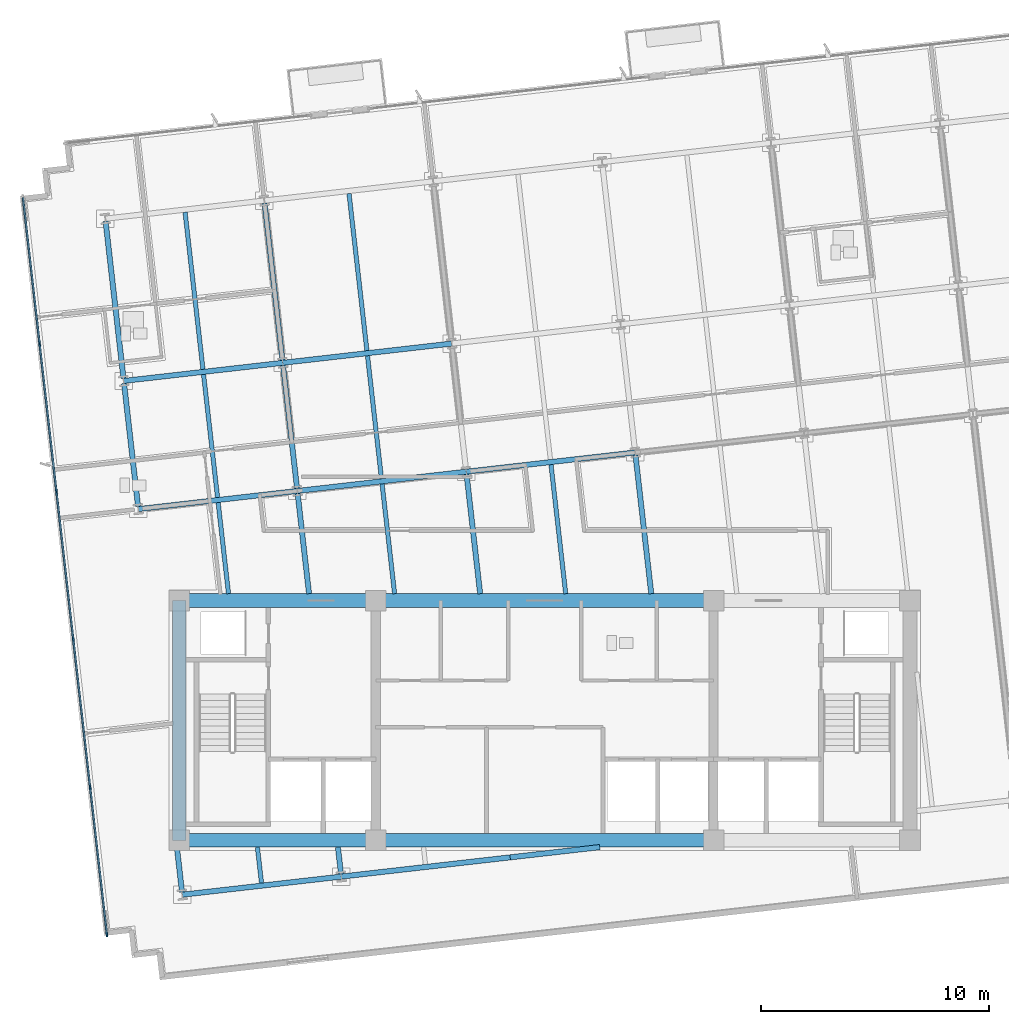
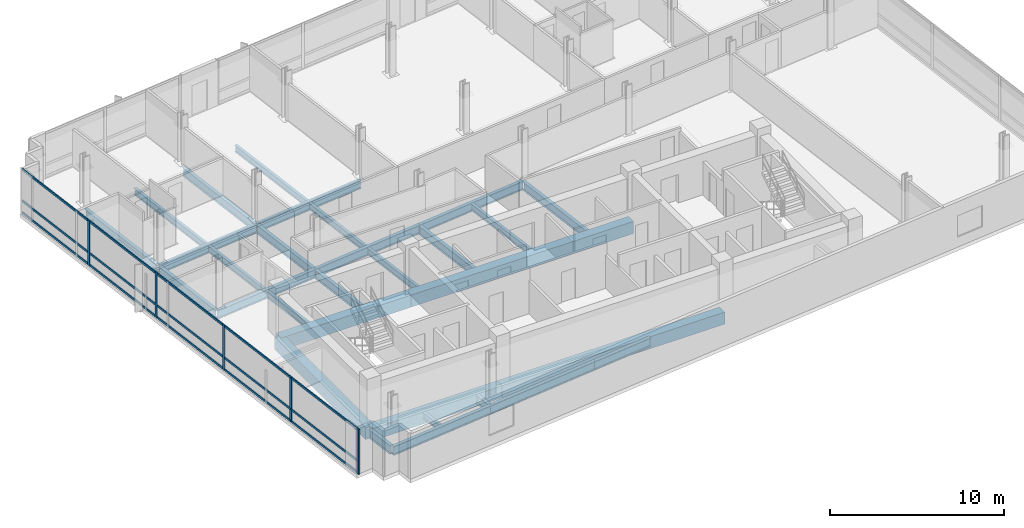
# One storey, part 2 of 15: 30 beams, 20 members, 1 element without a shape of its own.
"""IFC4 building model written with IfcOpenShell, lengths in metres."""

from ifc_helpers import new_model, si_unit, direction, frame, origin, origin_2d, place, context, subcontext, project, spatial, rectangle, i_section, extrude, material, material_profile, profile_set, type_object, element, aggregate, save


model = new_model("IFC4")

# Units and contexts
model_context = context("Model", 3, precision=1e-05, world=origin(), true_north=direction((0.0, 1.0)))
body_context = subcontext(model_context, "Body", "Model", "MODEL_VIEW")
ifc_project = project(units=[si_unit("LENGTHUNIT", "METRE"), si_unit("AREAUNIT", "SQUARE_METRE"), si_unit("VOLUMEUNIT", "CUBIC_METRE"), si_unit("PLANEANGLEUNIT", "RADIAN"), si_unit("MASSUNIT", "GRAM", prefix="KILO")], contexts=[model_context])

# Site, building, storey
site_placement = place(None, origin())
site = spatial("IfcSite", under=ifc_project, at=site_placement, CompositionType="ELEMENT")
building_placement = place(site_placement, origin())
building = spatial("IfcBuilding", under=site, at=building_placement, Name="Solmavex Isthmus Hotel", CompositionType="ELEMENT")
storey_placement = place(building_placement, frame((0.0, 0.0, 226.199951171875)))
storey = spatial("IfcBuildingStorey", under=building, at=storey_placement, Name="L61", CompositionType="ELEMENT", Elevation=226.199951171875)

# Beams
ifc_material_1 = material(Name="Steel ASTM A992 Grade 50", Category="steel")
ifc_material_profile_1 = material_profile(ifc_material_1, i_section(OverallWidth=0.1904296875, OverallDepth=0.456787109375, WebThickness=0.009033203125, FlangeThickness=0.014404296875, FilletRadius=0.0126953125, at=origin_2d()), Name="W18X50")
ifc_profile_set_1 = profile_set([ifc_material_profile_1], Name="Steel ASTM A992 Grade 50")
beam_type_1 = type_object("IfcBeamType", Name="BM-BJ-W18X50", PredefinedType="JOIST", material=ifc_profile_set_1)
beam_1_placement = place(storey_placement, frame((-12.404052734375, -14.872314453125, -0.48828125), z_axis=(-0.113242002738, 0.993567435465, 0.0), x_axis=(-0.993567435465, -0.113242002738, 0.0)))
element("IfcBeam", 1, at=beam_1_placement, inside=storey, type_object=beam_type_1, Name="Secondary Floor Joist L61-J01", PredefinedType="JOIST", context=body_context, shape_type="SweptSolid", body=[
    extrude(i_section(OverallWidth=0.1904296875, OverallDepth=0.456787109375, WebThickness=0.009033203125, FlangeThickness=0.014404296875, FilletRadius=0.0126953125, at=origin_2d()), origin(), (0.0, 0.0, 1.0), 1.58251953125),
])
beam_2_placement = place(storey_placement, frame((-13.847900390625, -2.199951171875, -0.48828125), z_axis=(-0.113179724577, 0.993574531651, 0.0), x_axis=(-0.993574531651, -0.113179724577, 0.0)))
element("IfcBeam", 2, at=beam_2_placement, inside=storey, type_object=beam_type_1, Name="Secondary Floor Joist L61-J02", PredefinedType="JOIST", context=body_context, shape_type="SweptSolid", body=[
    extrude(i_section(OverallWidth=0.1904296875, OverallDepth=0.456787109375, WebThickness=0.009033203125, FlangeThickness=0.014404296875, FilletRadius=0.0126953125, at=origin_2d()), origin(), (0.0, 0.0, 1.0), 4.0166015625),
])
beam_3_placement = place(storey_placement, frame((-14.328369140625, 2.01708984375, -0.48828125), z_axis=(-0.113189626161, 0.993573403695, 0.0), x_axis=(-0.993573403695, -0.113189626161, 0.0)))
element("IfcBeam", 3, at=beam_3_placement, inside=storey, type_object=beam_type_1, Name="Secondary Floor Joist L61-J03", PredefinedType="JOIST", context=body_context, shape_type="SweptSolid", body=[
    extrude(i_section(OverallWidth=0.1904296875, OverallDepth=0.456787109375, WebThickness=0.009033203125, FlangeThickness=0.014404296875, FilletRadius=0.0126953125, at=origin_2d()), origin(), (0.0, 0.0, 1.0), 5.42041015625),
])
beam_4_placement = place(storey_placement, frame((-14.9677734375, 7.62890625, -0.48828125), z_axis=(-0.113202453846, 0.993571942258, 0.0), x_axis=(-0.993571942258, -0.113202453846, 0.0)))
element("IfcBeam", 4, at=beam_4_placement, inside=storey, type_object=beam_type_1, Name="Secondary Floor Joist L61-J04", PredefinedType="JOIST", context=body_context, shape_type="SweptSolid", body=[
    extrude(i_section(OverallWidth=0.1904296875, OverallDepth=0.456787109375, WebThickness=0.009033203125, FlangeThickness=0.014404296875, FilletRadius=0.0126953125, at=origin_2d()), origin(), (0.0, 0.0, 1.0), 6.9228515625),
])
beam_5_placement = place(storey_placement, frame((-6.57421875, -2.199951171875, -0.48828125), z_axis=(-0.113193768539, 0.993572931779, 0.0), x_axis=(-0.993572931779, -0.113193768539, 0.0)))
element("IfcBeam", 5, at=beam_5_placement, inside=storey, type_object=beam_type_1, Name="Secondary Floor Joist L61-J06", PredefinedType="JOIST", context=body_context, shape_type="SweptSolid", body=[
    extrude(i_section(OverallWidth=0.1904296875, OverallDepth=0.456787109375, WebThickness=0.009033203125, FlangeThickness=0.014404296875, FilletRadius=0.0126953125, at=origin_2d()), origin(), (0.0, 0.0, 1.0), 4.83984375),
])
beam_6_placement = place(storey_placement, frame((-7.14794921875, 2.835205078125, -0.48828125), z_axis=(-0.113189626161, 0.993573403695, 0.0), x_axis=(-0.993573403695, -0.113189626161, 0.0)))
element("IfcBeam", 6, at=beam_6_placement, inside=storey, type_object=beam_type_1, Name="Secondary Floor Joist L61-J07", PredefinedType="JOIST", context=body_context, shape_type="SweptSolid", body=[
    extrude(i_section(OverallWidth=0.1904296875, OverallDepth=0.456787109375, WebThickness=0.009033203125, FlangeThickness=0.014404296875, FilletRadius=0.0126953125, at=origin_2d()), origin(), (0.0, 0.0, 1.0), 5.42041015625),
])
beam_7_placement = place(storey_placement, frame((-7.787109375, 8.447021484375, -0.48828125), z_axis=(-0.113202453846, 0.993571942258, 0.0), x_axis=(-0.993571942258, -0.113202453846, 0.0)))
element("IfcBeam", 7, at=beam_7_placement, inside=storey, type_object=beam_type_1, Name="Secondary Floor Joist L61-J08", PredefinedType="JOIST", context=body_context, shape_type="SweptSolid", body=[
    extrude(i_section(OverallWidth=0.1904296875, OverallDepth=0.456787109375, WebThickness=0.009033203125, FlangeThickness=0.014404296875, FilletRadius=0.0126953125, at=origin_2d()), origin(), (0.0, 0.0, 1.0), 6.9228515625),
])
beam_8_placement = place(storey_placement, frame((0.920166015625, -2.199951171875, -0.48828125), z_axis=(-0.113219765873, 0.993569969663, 0.0), x_axis=(-0.993569969663, -0.113219765873, 0.0)))
element("IfcBeam", 8, at=beam_8_placement, inside=storey, type_object=beam_type_1, Name="Secondary Floor Joist L61-J09", PredefinedType="JOIST", context=body_context, shape_type="SweptSolid", body=[
    extrude(i_section(OverallWidth=0.1904296875, OverallDepth=0.456787109375, WebThickness=0.009033203125, FlangeThickness=0.014404296875, FilletRadius=0.0126953125, at=origin_2d()), origin(), (0.0, 0.0, 1.0), 5.6884765625),
])
ifc_material_profile_2 = material_profile(ifc_material_1, i_section(OverallWidth=0.227783203125, OverallDepth=0.602783203125, WebThickness=0.010498046875, FlangeThickness=0.014892578125, FilletRadius=0.01513671875, at=origin_2d()), Name="W24X68")
ifc_profile_set_2 = profile_set([ifc_material_profile_2], Name="Steel ASTM A992 Grade 50")
beam_type_2 = type_object("IfcBeamType", Name="BM-BM-W24X68", PredefinedType="BEAM", material=ifc_profile_set_2)
beam_9_placement = place(storey_placement, frame((-17.796875, 1.50732421875, -0.561279296875), z_axis=(0.993569675103, 0.113222350774, 0.0), x_axis=(-0.113222350774, 0.993569675103, 0.0)))
element("IfcBeam", 9, at=beam_9_placement, inside=storey, type_object=beam_type_2, Name="Floor Girder L61-UG06", PredefinedType="BEAM", context=body_context, shape_type="SweptSolid", body=[
    extrude(i_section(OverallWidth=0.227783203125, OverallDepth=0.602783203125, WebThickness=0.010498046875, FlangeThickness=0.014892578125, FilletRadius=0.01513671875, at=origin_2d()), origin(), (0.0, 0.0, 1.0), 7.008056640625),
])
beam_10_placement = place(storey_placement, frame((-10.833984375, 2.30078125, -0.561279296875), z_axis=(0.993574034044, 0.113184092846, 0.0), x_axis=(-0.113184092846, 0.993574034044, 0.0)))
element("IfcBeam", 10, at=beam_10_placement, inside=storey, type_object=beam_type_2, Name="Floor Girder L61-UG07", PredefinedType="BEAM", context=body_context, shape_type="SweptSolid", body=[
    extrude(i_section(OverallWidth=0.227783203125, OverallDepth=0.602783203125, WebThickness=0.010498046875, FlangeThickness=0.014892578125, FilletRadius=0.01513671875, at=origin_2d()), origin(), (0.0, 0.0, 1.0), 7.446044921875),
])
beam_11_placement = place(storey_placement, frame((-3.435791015625, 3.1435546875, -0.561279296875), z_axis=(0.993569926006, 0.113220148984, 0.0), x_axis=(-0.113220148984, 0.993569926006, 0.0)))
element("IfcBeam", 11, at=beam_11_placement, inside=storey, type_object=beam_type_2, Name="Floor Girder L61-UG08", PredefinedType="BEAM", context=body_context, shape_type="SweptSolid", body=[
    extrude(i_section(OverallWidth=0.227783203125, OverallDepth=0.602783203125, WebThickness=0.010498046875, FlangeThickness=0.014892578125, FilletRadius=0.01513671875, at=origin_2d()), origin(), (0.0, 0.0, 1.0), 7.44580078125),
])
beam_12_placement = place(storey_placement, frame((-18.436279296875, 7.119140625, -0.561279296875), z_axis=(0.99357359356, 0.113187959519, 0.0), x_axis=(-0.113187959519, 0.99357359356, 0.0)))
element("IfcBeam", 12, at=beam_12_placement, inside=storey, type_object=beam_type_2, Name="Floor Girder L61-UG12", PredefinedType="BEAM", context=body_context, shape_type="SweptSolid", body=[
    extrude(i_section(OverallWidth=0.227783203125, OverallDepth=0.602783203125, WebThickness=0.010498046875, FlangeThickness=0.014892578125, FilletRadius=0.01513671875, at=origin_2d()), origin(), (0.0, 0.0, 1.0), 7.0078125),
])
beam_13_placement = place(storey_placement, frame((-11.473388671875, 7.912353515625, -0.561279296875), z_axis=(0.9935703463, 0.113216460607, 0.0), x_axis=(-0.113216460607, 0.9935703463, 0.0)))
element("IfcBeam", 13, at=beam_13_placement, inside=storey, type_object=beam_type_2, Name="Floor Girder L61-UG13", PredefinedType="BEAM", context=body_context, shape_type="SweptSolid", body=[
    extrude(i_section(OverallWidth=0.227783203125, OverallDepth=0.602783203125, WebThickness=0.010498046875, FlangeThickness=0.014892578125, FilletRadius=0.01513671875, at=origin_2d()), origin(), (0.0, 0.0, 1.0), 7.446044921875),
])
beam_14_placement = place(storey_placement, frame((-8.922607421875, -14.4755859375, -0.561279296875), z_axis=(-0.113284703976, 0.993562567655, 0.0), x_axis=(-0.993562567655, -0.113284703976, 0.0)))
element("IfcBeam", 14, at=beam_14_placement, inside=storey, type_object=beam_type_2, Name="Floor Beam L61-VG27", PredefinedType="BEAM", context=body_context, shape_type="SweptSolid", body=[
    extrude(i_section(OverallWidth=0.227783203125, OverallDepth=0.602783203125, WebThickness=0.010498046875, FlangeThickness=0.014892578125, FilletRadius=0.01513671875, at=origin_2d()), origin(), (0.0, 0.0, 1.0), 1.18310546875),
])
beam_15_placement = place(storey_placement, frame((-10.3212890625, -2.199951171875, -0.561279296875), z_axis=(-0.113173914695, 0.993575193447, 0.0), x_axis=(-0.993575193447, -0.113173914695, 0.0)))
element("IfcBeam", 15, at=beam_15_placement, inside=storey, type_object=beam_type_2, Name="Floor Beam L61-VG28", PredefinedType="BEAM", context=body_context, shape_type="SweptSolid", body=[
    extrude(i_section(OverallWidth=0.227783203125, OverallDepth=0.602783203125, WebThickness=0.010498046875, FlangeThickness=0.014892578125, FilletRadius=0.01513671875, at=origin_2d()), origin(), (0.0, 0.0, 1.0), 4.415771484375),
])
beam_16_placement = place(storey_placement, frame((-10.846923828125, 2.413818359375, -0.561279296875), z_axis=(-0.113189626161, 0.993573403695, 0.0), x_axis=(-0.993573403695, -0.113189626161, 0.0)))
element("IfcBeam", 16, at=beam_16_placement, inside=storey, type_object=beam_type_2, Name="Floor Beam L61-VG29", PredefinedType="BEAM", context=body_context, shape_type="SweptSolid", body=[
    extrude(i_section(OverallWidth=0.227783203125, OverallDepth=0.602783203125, WebThickness=0.010498046875, FlangeThickness=0.014892578125, FilletRadius=0.01513671875, at=origin_2d()), origin(), (0.0, 0.0, 1.0), 5.42041015625),
])
beam_17_placement = place(storey_placement, frame((-11.486328125, 8.025634765625, -0.561279296875), z_axis=(-0.113202453846, 0.993571942258, 0.0), x_axis=(-0.993571942258, -0.113202453846, 0.0)))
element("IfcBeam", 17, at=beam_17_placement, inside=storey, type_object=beam_type_2, Name="Floor Beam L61-VG30", PredefinedType="BEAM", context=body_context, shape_type="SweptSolid", body=[
    extrude(i_section(OverallWidth=0.227783203125, OverallDepth=0.602783203125, WebThickness=0.010498046875, FlangeThickness=0.014892578125, FilletRadius=0.01513671875, at=origin_2d()), origin(), (0.0, 0.0, 1.0), 6.9228515625),
])
beam_18_placement = place(storey_placement, frame((-2.8271484375, -2.199951171875, -0.561279296875), z_axis=(-0.113159423971, 0.993576843916, 0.0), x_axis=(-0.993576843916, -0.113159423971, 0.0)))
element("IfcBeam", 18, at=beam_18_placement, inside=storey, type_object=beam_type_2, Name="Floor Beam L61-VG31", PredefinedType="BEAM", context=body_context, shape_type="SweptSolid", body=[
    extrude(i_section(OverallWidth=0.227783203125, OverallDepth=0.602783203125, WebThickness=0.010498046875, FlangeThickness=0.014892578125, FilletRadius=0.01513671875, at=origin_2d()), origin(), (0.0, 0.0, 1.0), 5.26416015625),
])
beam_19_placement = place(storey_placement, frame((4.667236328125, -2.199951171875, -0.561279296875), z_axis=(-0.113232304752, 0.993568540746, 0.0), x_axis=(-0.993568540746, -0.113232304752, 0.0)))
element("IfcBeam", 19, at=beam_19_placement, inside=storey, type_object=beam_type_2, Name="Floor Beam L61-VG34", PredefinedType="BEAM", context=body_context, shape_type="SweptSolid", body=[
    extrude(i_section(OverallWidth=0.227783203125, OverallDepth=0.602783203125, WebThickness=0.010498046875, FlangeThickness=0.014892578125, FilletRadius=0.01513671875, at=origin_2d()), origin(), (0.0, 0.0, 1.0), 6.112548828125),
])
ifc_material_2 = material(Name="Concrete C50/60", Category="concrete")
ifc_material_profile_3 = material_profile(ifc_material_2, rectangle(XDim=0.60009765625, YDim=0.85009765625, at=origin_2d()), Name="RC600X850")
ifc_profile_set_3 = profile_set([ifc_material_profile_3], Name="Concrete C50/60")
beam_type_3 = type_object("IfcBeamType", Name="BM-CB-600X850", PredefinedType="BEAM", material=ifc_profile_set_3)
beam_20_placement = place(storey_placement, frame((-16.0, -13.0, -0.68505859375), z_axis=(1.0, 0.0, 0.0), x_axis=(0.0, 1.0, 0.0)))
element("IfcBeam", 20, at=beam_20_placement, inside=storey, type_object=beam_type_3, Name="Core Coupling Beam L61-CB1", PredefinedType="BEAM", context=body_context, shape_type="SweptSolid", body=[
    extrude(rectangle(XDim=0.60009765625, YDim=0.85009765625, at=origin_2d()), origin(), (0.0, 0.0, 1.0), 8.60009765625),
])
beam_21_placement = place(storey_placement, frame((-7.39990234375, -13.0, -0.68505859375), z_axis=(1.0, 0.0, 0.0), x_axis=(0.0, 1.0, 0.0)))
element("IfcBeam", 21, at=beam_21_placement, inside=storey, type_object=beam_type_3, Name="Core Coupling Beam L61-CB2", PredefinedType="BEAM", context=body_context, shape_type="SweptSolid", body=[
    extrude(rectangle(XDim=0.60009765625, YDim=0.85009765625, at=origin_2d()), origin(), (0.0, 0.0, 1.0), 14.7998046875),
])
beam_22_placement = place(storey_placement, frame((-16.0, -2.5, -0.68505859375), z_axis=(1.0, 0.0, 0.0), x_axis=(0.0, 1.0, 0.0)))
element("IfcBeam", 22, at=beam_22_placement, inside=storey, type_object=beam_type_3, Name="Core Coupling Beam L61-CB4", PredefinedType="BEAM", context=body_context, shape_type="SweptSolid", body=[
    extrude(rectangle(XDim=0.60009765625, YDim=0.85009765625, at=origin_2d()), origin(), (0.0, 0.0, 1.0), 8.60009765625),
])
beam_23_placement = place(storey_placement, frame((-7.39990234375, -2.5, -0.68505859375), z_axis=(1.0, 0.0, 0.0), x_axis=(0.0, 1.0, 0.0)))
element("IfcBeam", 23, at=beam_23_placement, inside=storey, type_object=beam_type_3, Name="Core Coupling Beam L61-CB5", PredefinedType="BEAM", context=body_context, shape_type="SweptSolid", body=[
    extrude(rectangle(XDim=0.60009765625, YDim=0.85009765625, at=origin_2d()), origin(), (0.0, 0.0, 1.0), 14.7998046875),
])
beam_24_placement = place(storey_placement, frame((-16.0, -13.0, -0.68505859375), z_axis=(0.0, 1.0, 0.0), x_axis=(-1.0, 0.0, 0.0)))
element("IfcBeam", 24, at=beam_24_placement, inside=storey, type_object=beam_type_3, Name="Core Coupling Beam L61-CB7", PredefinedType="BEAM", context=body_context, shape_type="SweptSolid", body=[
    extrude(rectangle(XDim=0.60009765625, YDim=0.85009765625, at=origin_2d()), origin(), (0.0, 0.0, 1.0), 10.5),
])
ifc_material_profile_4 = material_profile(ifc_material_1, i_section(OverallWidth=0.230224609375, OverallDepth=0.617431640625, WebThickness=0.01318359375, FlangeThickness=0.022216796875, FilletRadius=0.01513671875, at=origin_2d()), Name="W24X94")
ifc_profile_set_4 = profile_set([ifc_material_profile_4], Name="Steel ASTM A992 Grade 50")
beam_type_4 = type_object("IfcBeamType", Name="BM-SP-W24X94", PredefinedType="SPANDREL", material=ifc_profile_set_4)
beam_25_placement = place(storey_placement, frame((-15.87255859375, -15.38330078125, -0.568603515625), z_axis=(0.993574039862, 0.113184041777, 0.0), x_axis=(-0.113184041777, 0.993574039862, 0.0)))
element("IfcBeam", 25, at=beam_25_placement, inside=storey, type_object=beam_type_4, Name="Floor Girder L61-UG01", PredefinedType="SPANDREL", context=body_context, shape_type="SweptSolid", body=[
    extrude(i_section(OverallWidth=0.230224609375, OverallDepth=0.617431640625, WebThickness=0.01318359375, FlangeThickness=0.022216796875, FilletRadius=0.01513671875, at=origin_2d()), origin(), (0.0, 0.0, 1.0), 7.008056640625),
])
beam_26_placement = place(storey_placement, frame((-8.909423828125, -14.590087890625, -0.568603515625), z_axis=(0.993569926006, 0.113220148984, 0.0), x_axis=(-0.113220148984, 0.993569926006, 0.0)))
element("IfcBeam", 26, at=beam_26_placement, inside=storey, type_object=beam_type_4, Name="Floor Girder L61-UG02", PredefinedType="SPANDREL", context=body_context, shape_type="SweptSolid", body=[
    extrude(i_section(OverallWidth=0.230224609375, OverallDepth=0.617431640625, WebThickness=0.01318359375, FlangeThickness=0.022216796875, FilletRadius=0.01513671875, at=origin_2d()), origin(), (0.0, 0.0, 1.0), 7.44580078125),
])
beam_27_placement = place(storey_placement, frame((-1.511474609375, -13.7470703125, -0.568603515625), z_axis=(0.993575434773, 0.113171796023, 0.0), x_axis=(-0.113171796023, 0.993575434773, 0.0)))
element("IfcBeam", 27, at=beam_27_placement, inside=storey, type_object=beam_type_4, Name="Floor Girder L61-UG03", PredefinedType="SPANDREL", context=body_context, shape_type="SweptSolid", body=[
    extrude(i_section(OverallWidth=0.230224609375, OverallDepth=0.617431640625, WebThickness=0.01318359375, FlangeThickness=0.022216796875, FilletRadius=0.01513671875, at=origin_2d()), origin(), (0.0, 0.0, 1.0), 3.949951171875),
])
beam_28_placement = place(storey_placement, frame((-15.885498046875, -15.268798828125, -0.568603515625), z_axis=(-0.113230368519, 0.993568761408, 0.0), x_axis=(-0.993568761408, -0.113230368519, 0.0)))
element("IfcBeam", 28, at=beam_28_placement, inside=storey, type_object=beam_type_4, Name="Floor Beam L61-VG24", PredefinedType="SPANDREL", context=body_context, shape_type="SweptSolid", body=[
    extrude(i_section(OverallWidth=0.230224609375, OverallDepth=0.617431640625, WebThickness=0.01318359375, FlangeThickness=0.022216796875, FilletRadius=0.01513671875, at=origin_2d()), origin(), (0.0, 0.0, 1.0), 1.9814453125),
])
beam_29_placement = place(storey_placement, frame((-17.809814453125, 1.62060546875, -0.568603515625), z_axis=(-0.113194691868, 0.993572826587, 0.0), x_axis=(-0.993572826587, -0.113194691868, 0.0)))
element("IfcBeam", 29, at=beam_29_placement, inside=storey, type_object=beam_type_4, Name="Floor Beam L61-VG25", PredefinedType="SPANDREL", context=body_context, shape_type="SweptSolid", body=[
    extrude(i_section(OverallWidth=0.230224609375, OverallDepth=0.617431640625, WebThickness=0.01318359375, FlangeThickness=0.022216796875, FilletRadius=0.01513671875, at=origin_2d()), origin(), (0.0, 0.0, 1.0), 5.420166015625),
])
beam_30_placement = place(storey_placement, frame((-18.44921875, 7.232177734375, -0.568603515625), z_axis=(-0.113202453846, 0.993571942258, 0.0), x_axis=(-0.993571942258, -0.113202453846, 0.0)))
element("IfcBeam", 30, at=beam_30_placement, inside=storey, type_object=beam_type_4, Name="Floor Beam L61-VG26", PredefinedType="SPANDREL", context=body_context, shape_type="SweptSolid", body=[
    extrude(i_section(OverallWidth=0.230224609375, OverallDepth=0.617431640625, WebThickness=0.01318359375, FlangeThickness=0.022216796875, FilletRadius=0.01513671875, at=origin_2d()), origin(), (0.0, 0.0, 1.0), 6.9228515625),
])

# Curtain wall, members
ifc_material_3 = material(Name="Aluminium alloy 6063-T6", Category="aluminium")
curtain_wall_type = type_object("IfcCurtainWallType", Name="CW-SYS-04", PredefinedType="NOTDEFINED", material=ifc_material_3)
curtain_wall_placement = place(storey_placement, origin())
curtain_wall = element("IfcCurtainWall", 31, at=curtain_wall_placement, inside=storey, type_object=curtain_wall_type, Name="Stick Curtain Wall CWL-L61-W1", PredefinedType="NOTDEFINED")
ifc_material_profile_5 = material_profile(ifc_material_3, rectangle(XDim=0.074951171875, YDim=0.199951171875, at=origin_2d()), Name="CWM-75X200")
ifc_profile_set_5 = profile_set([ifc_material_profile_5], Name="Aluminium alloy 6063-T6")
member_type_1 = type_object("IfcMemberType", Name="CW-SYS-04-MUL", PredefinedType="MULLION", material=ifc_profile_set_5)
member_1_placement = place(storey_placement, frame((-19.17578125, -17.131103515625, 0.0), z_axis=(0.0, 0.0, 1.0), x_axis=(-0.993571836648, -0.11320338078, 0.0)))
member_1 = element("IfcMember", 32, at=member_1_placement, type_object=member_type_1, Name="CW-04 mullion 1", PredefinedType="MULLION", context=body_context, shape_type="SweptSolid", body=[
    extrude(rectangle(XDim=0.074951171875, YDim=0.199951171875, at=origin_2d()), origin(), (0.0, 0.0, 1.0), 3.18994140625),
])
member_2_placement = place(storey_placement, frame((-19.90966796875, -10.690185546875, 0.0), z_axis=(0.0, 0.0, 1.0), x_axis=(-0.993571836648, -0.11320338078, 0.0)))
member_2 = element("IfcMember", 33, at=member_2_placement, type_object=member_type_1, Name="CW-04 mullion 2", PredefinedType="MULLION", context=body_context, shape_type="SweptSolid", body=[
    extrude(rectangle(XDim=0.074951171875, YDim=0.199951171875, at=origin_2d()), origin(), (0.0, 0.0, 1.0), 3.18994140625),
])
member_3_placement = place(storey_placement, frame((-20.647705078125, -4.212158203125, 0.0), z_axis=(0.0, 0.0, 1.0), x_axis=(-0.993571836648, -0.11320338078, 0.0)))
member_3 = element("IfcMember", 34, at=member_3_placement, type_object=member_type_1, Name="CW-04 mullion 3", PredefinedType="MULLION", context=body_context, shape_type="SweptSolid", body=[
    extrude(rectangle(XDim=0.074951171875, YDim=0.199951171875, at=origin_2d()), origin(), (0.0, 0.0, 1.0), 3.18994140625),
])
member_4_placement = place(storey_placement, frame((-21.385986328125, 2.265869140625, 0.0), z_axis=(0.0, 0.0, 1.0), x_axis=(-0.993571836648, -0.11320338078, 0.0)))
member_4 = element("IfcMember", 35, at=member_4_placement, type_object=member_type_1, Name="CW-04 mullion 4", PredefinedType="MULLION", context=body_context, shape_type="SweptSolid", body=[
    extrude(rectangle(XDim=0.074951171875, YDim=0.199951171875, at=origin_2d()), origin(), (0.0, 0.0, 1.0), 3.18994140625),
])
member_5_placement = place(storey_placement, frame((-22.1240234375, 8.744140625, 0.0), z_axis=(0.0, 0.0, 1.0), x_axis=(-0.993571836648, -0.11320338078, 0.0)))
member_5 = element("IfcMember", 36, at=member_5_placement, type_object=member_type_1, Name="CW-04 mullion 5", PredefinedType="MULLION", context=body_context, shape_type="SweptSolid", body=[
    extrude(rectangle(XDim=0.074951171875, YDim=0.199951171875, at=origin_2d()), origin(), (0.0, 0.0, 1.0), 3.18994140625),
])
ifc_material_profile_6 = material_profile(ifc_material_3, rectangle(XDim=0.074951171875, YDim=0.14990234375, at=origin_2d()), Name="CWT-75X150")
ifc_profile_set_6 = profile_set([ifc_material_profile_6], Name="Aluminium alloy 6063-T6")
member_type_2 = type_object("IfcMemberType", Name="CW-SYS-04-TRN", PredefinedType="USERDEFINED", material=ifc_profile_set_6)
member_6_placement = place(storey_placement, frame((-19.18017578125, -17.09375, 0.074951171875), z_axis=(-0.113203780919, 0.993571791058, 0.0), x_axis=(-0.993571791058, -0.113203780919, 0.0)))
member_6 = element("IfcMember", 37, at=member_6_placement, type_object=member_type_2, Name="CW-04 transom 1.1", ObjectType="TRANSOM", PredefinedType="USERDEFINED", context=body_context, shape_type="SweptSolid", body=[
    extrude(rectangle(XDim=0.074951171875, YDim=0.14990234375, at=origin_2d()), origin(), (0.0, 0.0, 1.0), 6.407470703125),
])
member_7_placement = place(storey_placement, frame((-19.18017578125, -17.09375, 0.900146484375), z_axis=(-0.113203780919, 0.993571791058, 0.0), x_axis=(-0.993571791058, -0.113203780919, 0.0)))
member_7 = element("IfcMember", 38, at=member_7_placement, type_object=member_type_2, Name="CW-04 transom 1.2", ObjectType="TRANSOM", PredefinedType="USERDEFINED", context=body_context, shape_type="SweptSolid", body=[
    extrude(rectangle(XDim=0.074951171875, YDim=0.14990234375, at=origin_2d()), origin(), (0.0, 0.0, 1.0), 6.407470703125),
])
member_8_placement = place(storey_placement, frame((-19.18017578125, -17.09375, 3.114990234375), z_axis=(-0.113203780919, 0.993571791058, 0.0), x_axis=(-0.993571791058, -0.113203780919, 0.0)))
member_8 = element("IfcMember", 39, at=member_8_placement, type_object=member_type_2, Name="CW-04 transom 1.3", ObjectType="TRANSOM", PredefinedType="USERDEFINED", context=body_context, shape_type="SweptSolid", body=[
    extrude(rectangle(XDim=0.074951171875, YDim=0.14990234375, at=origin_2d()), origin(), (0.0, 0.0, 1.0), 6.407470703125),
])
member_9_placement = place(storey_placement, frame((-19.9140625, -10.653076171875, 0.074951171875), z_axis=(-0.113187617296, 0.993573632546, 0.0), x_axis=(-0.993573632546, -0.113187617296, 0.0)))
member_9 = element("IfcMember", 40, at=member_9_placement, type_object=member_type_2, Name="CW-04 transom 2.1", ObjectType="TRANSOM", PredefinedType="USERDEFINED", context=body_context, shape_type="SweptSolid", body=[
    extrude(rectangle(XDim=0.074951171875, YDim=0.14990234375, at=origin_2d()), origin(), (0.0, 0.0, 1.0), 6.445068359375),
])
member_10_placement = place(storey_placement, frame((-19.9140625, -10.653076171875, 0.900146484375), z_axis=(-0.113187617296, 0.993573632546, 0.0), x_axis=(-0.993573632546, -0.113187617296, 0.0)))
member_10 = element("IfcMember", 41, at=member_10_placement, type_object=member_type_2, Name="CW-04 transom 2.2", ObjectType="TRANSOM", PredefinedType="USERDEFINED", context=body_context, shape_type="SweptSolid", body=[
    extrude(rectangle(XDim=0.074951171875, YDim=0.14990234375, at=origin_2d()), origin(), (0.0, 0.0, 1.0), 6.445068359375),
])
member_11_placement = place(storey_placement, frame((-19.9140625, -10.653076171875, 3.114990234375), z_axis=(-0.113187617296, 0.993573632546, 0.0), x_axis=(-0.993573632546, -0.113187617296, 0.0)))
member_11 = element("IfcMember", 42, at=member_11_placement, type_object=member_type_2, Name="CW-04 transom 2.3", ObjectType="TRANSOM", PredefinedType="USERDEFINED", context=body_context, shape_type="SweptSolid", body=[
    extrude(rectangle(XDim=0.074951171875, YDim=0.14990234375, at=origin_2d()), origin(), (0.0, 0.0, 1.0), 6.445068359375),
])
member_12_placement = place(storey_placement, frame((-20.652099609375, -4.1748046875, 0.074951171875), z_axis=(-0.113187617296, 0.993573632546, 0.0), x_axis=(-0.993573632546, -0.113187617296, 0.0)))
member_12 = element("IfcMember", 43, at=member_12_placement, type_object=member_type_2, Name="CW-04 transom 3.1", ObjectType="TRANSOM", PredefinedType="USERDEFINED", context=body_context, shape_type="SweptSolid", body=[
    extrude(rectangle(XDim=0.074951171875, YDim=0.14990234375, at=origin_2d()), origin(), (0.0, 0.0, 1.0), 6.445068359375),
])
member_13_placement = place(storey_placement, frame((-20.652099609375, -4.1748046875, 0.900146484375), z_axis=(-0.113187617296, 0.993573632546, 0.0), x_axis=(-0.993573632546, -0.113187617296, 0.0)))
member_13 = element("IfcMember", 44, at=member_13_placement, type_object=member_type_2, Name="CW-04 transom 3.2", ObjectType="TRANSOM", PredefinedType="USERDEFINED", context=body_context, shape_type="SweptSolid", body=[
    extrude(rectangle(XDim=0.074951171875, YDim=0.14990234375, at=origin_2d()), origin(), (0.0, 0.0, 1.0), 6.445068359375),
])
member_14_placement = place(storey_placement, frame((-20.652099609375, -4.1748046875, 3.114990234375), z_axis=(-0.113187617296, 0.993573632546, 0.0), x_axis=(-0.993573632546, -0.113187617296, 0.0)))
member_14 = element("IfcMember", 45, at=member_14_placement, type_object=member_type_2, Name="CW-04 transom 3.3", ObjectType="TRANSOM", PredefinedType="USERDEFINED", context=body_context, shape_type="SweptSolid", body=[
    extrude(rectangle(XDim=0.074951171875, YDim=0.14990234375, at=origin_2d()), origin(), (0.0, 0.0, 1.0), 6.445068359375),
])
member_15_placement = place(storey_placement, frame((-21.39013671875, 2.30322265625, 0.074951171875), z_axis=(-0.113187617296, 0.993573632546, 0.0), x_axis=(-0.993573632546, -0.113187617296, 0.0)))
member_15 = element("IfcMember", 46, at=member_15_placement, type_object=member_type_2, Name="CW-04 transom 4.1", ObjectType="TRANSOM", PredefinedType="USERDEFINED", context=body_context, shape_type="SweptSolid", body=[
    extrude(rectangle(XDim=0.074951171875, YDim=0.14990234375, at=origin_2d()), origin(), (0.0, 0.0, 1.0), 6.445068359375),
])
member_16_placement = place(storey_placement, frame((-21.39013671875, 2.30322265625, 0.900146484375), z_axis=(-0.113187617296, 0.993573632546, 0.0), x_axis=(-0.993573632546, -0.113187617296, 0.0)))
member_16 = element("IfcMember", 47, at=member_16_placement, type_object=member_type_2, Name="CW-04 transom 4.2", ObjectType="TRANSOM", PredefinedType="USERDEFINED", context=body_context, shape_type="SweptSolid", body=[
    extrude(rectangle(XDim=0.074951171875, YDim=0.14990234375, at=origin_2d()), origin(), (0.0, 0.0, 1.0), 6.445068359375),
])
member_17_placement = place(storey_placement, frame((-21.39013671875, 2.30322265625, 3.114990234375), z_axis=(-0.113187617296, 0.993573632546, 0.0), x_axis=(-0.993573632546, -0.113187617296, 0.0)))
member_17 = element("IfcMember", 48, at=member_17_placement, type_object=member_type_2, Name="CW-04 transom 4.3", ObjectType="TRANSOM", PredefinedType="USERDEFINED", context=body_context, shape_type="SweptSolid", body=[
    extrude(rectangle(XDim=0.074951171875, YDim=0.14990234375, at=origin_2d()), origin(), (0.0, 0.0, 1.0), 6.445068359375),
])
member_18_placement = place(storey_placement, frame((-22.128173828125, 8.78125, 0.074951171875), z_axis=(-0.113199495412, 0.993572279323, 0.0), x_axis=(-0.993572279323, -0.113199495412, 0.0)))
member_18 = element("IfcMember", 49, at=member_18_placement, type_object=member_type_2, Name="CW-04 transom 5.1", ObjectType="TRANSOM", PredefinedType="USERDEFINED", context=body_context, shape_type="SweptSolid", body=[
    extrude(rectangle(XDim=0.074951171875, YDim=0.14990234375, at=origin_2d()), origin(), (0.0, 0.0, 1.0), 6.40771484375),
])
member_19_placement = place(storey_placement, frame((-22.128173828125, 8.78125, 0.900146484375), z_axis=(-0.113199495412, 0.993572279323, 0.0), x_axis=(-0.993572279323, -0.113199495412, 0.0)))
member_19 = element("IfcMember", 50, at=member_19_placement, type_object=member_type_2, Name="CW-04 transom 5.2", ObjectType="TRANSOM", PredefinedType="USERDEFINED", context=body_context, shape_type="SweptSolid", body=[
    extrude(rectangle(XDim=0.074951171875, YDim=0.14990234375, at=origin_2d()), origin(), (0.0, 0.0, 1.0), 6.40771484375),
])
member_20_placement = place(storey_placement, frame((-22.128173828125, 8.78125, 3.114990234375), z_axis=(-0.113199495412, 0.993572279323, 0.0), x_axis=(-0.993572279323, -0.113199495412, 0.0)))
member_20 = element("IfcMember", 51, at=member_20_placement, type_object=member_type_2, Name="CW-04 transom 5.3", ObjectType="TRANSOM", PredefinedType="USERDEFINED", context=body_context, shape_type="SweptSolid", body=[
    extrude(rectangle(XDim=0.074951171875, YDim=0.14990234375, at=origin_2d()), origin(), (0.0, 0.0, 1.0), 6.40771484375),
])
aggregate(curtain_wall, [member_1, member_2, member_3, member_4, member_5, member_6, member_7, member_8, member_9, member_10, member_11, member_12, member_13, member_14, member_15, member_16, member_17, member_18, member_19, member_20])

save(model, "model.ifc")
